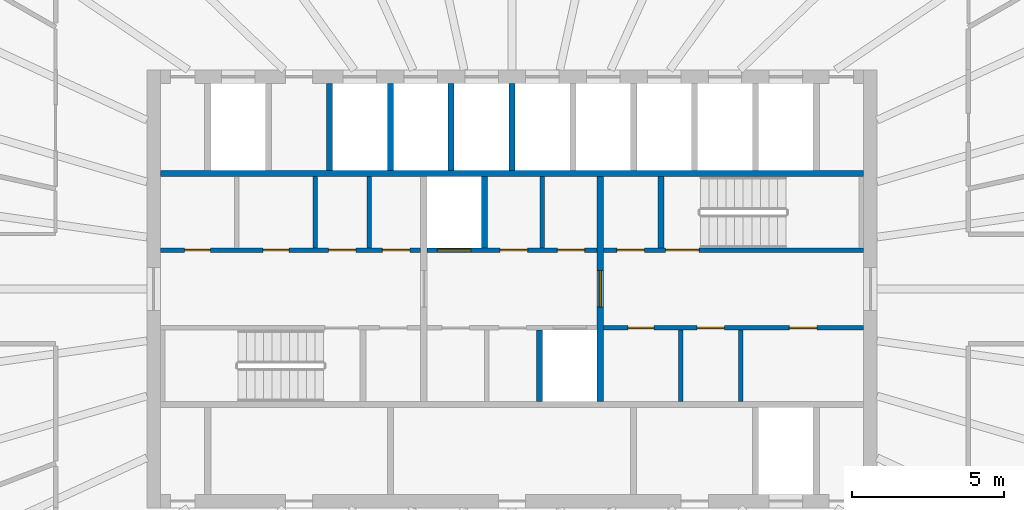
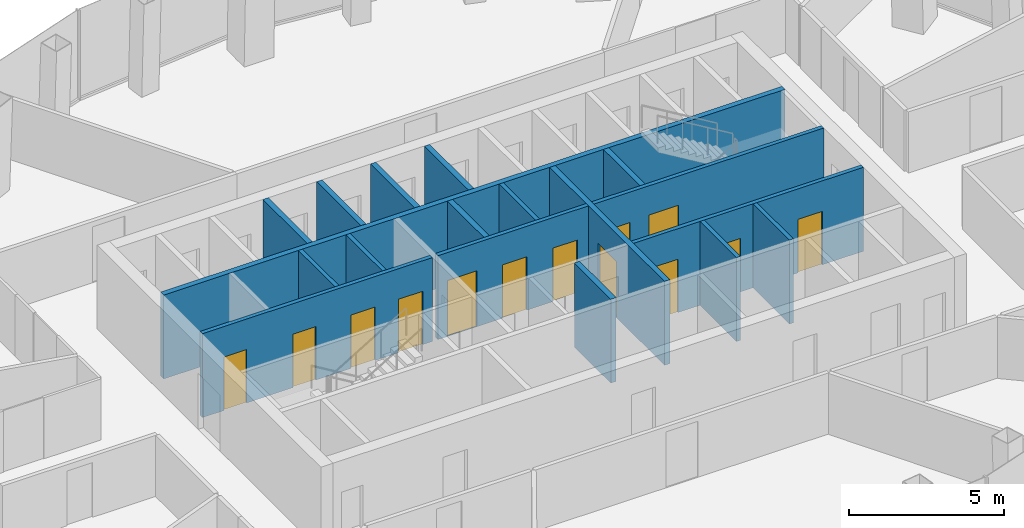
# One storey, part 10 of 13: 18 walls, 13 doors, 13 openings.
"""IFC4 building model written with IfcOpenShell, lengths in metres."""

from ifc_helpers import new_model, si_unit, direction, frame, frame_2d, origin, place, context, subcontext, project, spatial, rectangle, extrude, material, layer, layer_set, type_object, element, fill, save


model = new_model("IFC4")

# Units and contexts
model_context = context("Model", 3, precision=1e-05, world=origin(), true_north=direction((0.0, 1.0)))
body_context = subcontext(model_context, "Body", "Model", "MODEL_VIEW")
ifc_project = project(units=[si_unit("LENGTHUNIT", "METRE"), si_unit("AREAUNIT", "SQUARE_METRE"), si_unit("VOLUMEUNIT", "CUBIC_METRE"), si_unit("PLANEANGLEUNIT", "RADIAN"), si_unit("MASSUNIT", "GRAM", prefix="KILO")], contexts=[model_context])

# Site, building, storey
site_placement = place(None, origin())
site = spatial("IfcSite", under=ifc_project, at=site_placement, CompositionType="ELEMENT")
building_placement = place(site_placement, origin())
building = spatial("IfcBuilding", under=site, at=building_placement, Name="Siaravel Broadcast Tower", CompositionType="ELEMENT")
storey_placement = place(building_placement, frame((0.0, 0.0, 175.60009765625)))
storey = spatial("IfcBuildingStorey", under=building, at=storey_placement, Name="L42", CompositionType="ELEMENT", Elevation=175.60009765625)

# Walls
ifc_material_1 = material(Name="Concrete blockwork", Category="masonry")
ifc_layer_1 = layer(ifc_material_1, 0.14990234375)
ifc_layer_set_1 = layer_set([ifc_layer_1], Name="Concrete blockwork")
wall_type_1 = type_object("IfcWallType", Name="Core partition 150", PredefinedType="PARTITIONING", material=ifc_layer_set_1)
for number, where, z_axis, x_axis, name in (
    (1, (-6.465087890625, 1.35009765625, 0.0), (0.0, 0.0, 1.0), (0.0, 1.0, 0.0), "L42 core partition PNW1"),
    (2, (-4.695068359375, 1.35009765625, 0.0), (0.0, 0.0, 1.0), (0.0, 1.0, 0.0), "L42 core partition PNW2"),
    (3, (5.550048828125, -3.699951171875, 0.0), (0.0, 0.0, 1.0), (0.0, 1.0, 0.0), "L42 core partition PSE0"),
    (4, (7.514892578125, -3.699951171875, 0.0), (0.0, 0.0, 1.0), (0.0, 1.0, 0.0), "L42 core partition PSE1"),
    (5, (1.0, 1.35009765625, 0.0), (0.0, 0.0, 1.0), (0.0, 1.0, 0.0), "L42 core partition PNM0"),
):
    element("IfcWall", number, at=place(storey_placement, frame(where, z_axis=z_axis, x_axis=x_axis)), inside=storey, type_object=wall_type_1, Name=name, PredefinedType="PARTITIONING", context=body_context, shape_type="SweptSolid", body=[
        extrude(rectangle(XDim=2.349853515625, YDim=0.14990234375, at=frame_2d((1.1748046875, 0.0))), origin(), (0.0, 0.0, 1.0), 3.2998046875),
    ])

# Wall, openings, doors
ifc_material_2 = material(Name="Gypsum board partition", Category="gypsum")
ifc_layer_2 = layer(ifc_material_2, 0.14990234375)
ifc_layer_set_2 = layer_set([ifc_layer_2], Name="Gypsum board partition")
wall_type_2 = type_object("IfcWallType", Name="Corridor wall 150", PredefinedType="PARTITIONING", material=ifc_layer_set_2)
wall_1_placement = place(storey_placement, frame((3.0, -1.27490234375, 0.0), z_axis=(0.0, 0.0, 1.0), x_axis=(1.0, 0.0, 0.0)))
wall_1 = element("IfcWall", 6, at=wall_1_placement, inside=storey, type_object=wall_type_2, Name="L42 core partition CSE", PredefinedType="PARTITIONING", context=body_context, shape_type="SweptSolid", body=[
    extrude(rectangle(XDim=8.550048828125, YDim=0.14990234375, at=frame_2d((4.27490234375, 0.0))), origin(), (0.0, 0.0, 1.0), 3.2998046875),
])
opening_1_placement = place(wall_1_placement, frame((0.8125, 0.0, 0.0)))
opening_1 = element("IfcOpeningElement", 7, at=opening_1_placement, cuts=wall_1, Name="Opening L42-DSE0", PredefinedType="OPENING", context=body_context, shape_type="SweptSolid", body=[
    extrude(rectangle(XDim=0.85009765625, YDim=2.10009765625, at=frame_2d((0.425048828125, 1.050048828125))), frame((0.0, 0.0849609375, 0.0), z_axis=(0.0, -1.0, 0.0), x_axis=(1.0, 0.0, 0.0)), (0.0, 0.0, 1.0), 0.169921875),
])
opening_2_placement = place(wall_1_placement, frame((3.08251953125, 0.0, 0.0)))
opening_2 = element("IfcOpeningElement", 8, at=opening_2_placement, cuts=wall_1, Name="Opening L42-DSE1", PredefinedType="OPENING", context=body_context, shape_type="SweptSolid", body=[
    extrude(rectangle(XDim=0.89990234375, YDim=2.10009765625, at=frame_2d((0.449951171875, 1.050048828125))), frame((0.0, 0.0849609375, 0.0), z_axis=(0.0, -1.0, 0.0), x_axis=(1.0, 0.0, 0.0)), (0.0, 0.0, 1.0), 0.169921875),
])
opening_3_placement = place(wall_1_placement, frame((6.1201171875, 0.0, 0.0)))
opening_3 = element("IfcOpeningElement", 9, at=opening_3_placement, cuts=wall_1, Name="Opening L42-DSE2", PredefinedType="OPENING", context=body_context, shape_type="SweptSolid", body=[
    extrude(rectangle(XDim=0.89990234375, YDim=2.10009765625, at=frame_2d((0.449951171875, 1.050048828125))), frame((0.0, 0.0849609375, 0.0), z_axis=(0.0, -1.0, 0.0), x_axis=(1.0, 0.0, 0.0)), (0.0, 0.0, 1.0), 0.169921875),
])
ifc_material_3 = material(Name="Timber veneer", Category="wood")
door_type_1 = type_object("IfcDoorType", Name="Core room door 900", OperationType="SINGLE_SWING_LEFT", PredefinedType="DOOR", material=ifc_material_3)
door_1_placement = place(opening_2_placement, origin())
door_1 = element("IfcDoor", 10, at=door_1_placement, inside=storey, type_object=door_type_1, Name="L42 door DSE1", OperationType="SINGLE_SWING_LEFT", OverallHeight=2.10009765625, OverallWidth=0.89990234375, PredefinedType="DOOR", context=body_context, shape_type="SweptSolid", body=[
    extrude(rectangle(XDim=0.89990234375, YDim=2.10009765625, at=frame_2d((0.449951171875, 1.050048828125))), frame((0.0, 0.02490234375, 0.0), z_axis=(0.0, -1.0, 0.0), x_axis=(1.0, 0.0, 0.0)), (0.0, 0.0, 1.0), 0.050048828125),
])
fill(opening_2, door_1)
door_2_placement = place(opening_3_placement, origin())
door_2 = element("IfcDoor", 11, at=door_2_placement, inside=storey, type_object=door_type_1, Name="L42 door DSE2", OperationType="SINGLE_SWING_LEFT", OverallHeight=2.10009765625, OverallWidth=0.89990234375, PredefinedType="DOOR", context=body_context, shape_type="SweptSolid", body=[
    extrude(rectangle(XDim=0.89990234375, YDim=2.10009765625, at=frame_2d((0.449951171875, 1.050048828125))), frame((0.0, 0.02490234375, 0.0), z_axis=(0.0, -1.0, 0.0), x_axis=(1.0, 0.0, 0.0)), (0.0, 0.0, 1.0), 0.050048828125),
])
fill(opening_3, door_2)
door_type_2 = type_object("IfcDoorType", Name="Core toilet door 850", OperationType="SINGLE_SWING_LEFT", PredefinedType="DOOR", material=ifc_material_3)
door_3_placement = place(opening_1_placement, origin())
door_3 = element("IfcDoor", 12, at=door_3_placement, inside=storey, type_object=door_type_2, Name="L42 door DSE0", OperationType="SINGLE_SWING_LEFT", OverallHeight=2.10009765625, OverallWidth=0.85009765625, PredefinedType="DOOR", context=body_context, shape_type="SweptSolid", body=[
    extrude(rectangle(XDim=0.85009765625, YDim=2.10009765625, at=frame_2d((0.425048828125, 1.050048828125))), frame((0.0, 0.02490234375, 0.0), z_axis=(0.0, -1.0, 0.0), x_axis=(1.0, 0.0, 0.0)), (0.0, 0.0, 1.0), 0.050048828125),
])
fill(opening_1, door_3)

wall_2_placement = place(storey_placement, frame((-11.550048828125, 1.27490234375, 0.0), z_axis=(0.0, 0.0, 1.0), x_axis=(1.0, 0.0, 0.0)))
wall_2 = element("IfcWall", 13, at=wall_2_placement, inside=storey, type_object=wall_type_2, Name="L42 core partition CNW", PredefinedType="PARTITIONING", context=body_context, shape_type="SweptSolid", body=[
    extrude(rectangle(XDim=8.550048828125, YDim=0.14990234375, at=frame_2d((4.27490234375, 0.0))), origin(), (0.0, 0.0, 1.0), 3.2998046875),
])
opening_4_placement = place(wall_2_placement, frame((0.7900390625, 0.0, 0.0)))
opening_4 = element("IfcOpeningElement", 14, at=opening_4_placement, cuts=wall_2, Name="Opening L42-DNW0", PredefinedType="OPENING", context=body_context, shape_type="SweptSolid", body=[
    extrude(rectangle(XDim=0.85009765625, YDim=2.10009765625, at=frame_2d((0.425048828125, 1.050048828125))), frame((0.0, 0.0849609375, 0.0), z_axis=(0.0, -1.0, 0.0), x_axis=(1.0, 0.0, 0.0)), (0.0, 0.0, 1.0), 0.169921875),
])
opening_5_placement = place(wall_2_placement, frame((3.3701171875, 0.0, 0.0)))
opening_5 = element("IfcOpeningElement", 15, at=opening_5_placement, cuts=wall_2, Name="Opening L42-DNW1", PredefinedType="OPENING", context=body_context, shape_type="SweptSolid", body=[
    extrude(rectangle(XDim=0.85009765625, YDim=2.10009765625, at=frame_2d((0.425048828125, 1.050048828125))), frame((0.0, 0.0849609375, 0.0), z_axis=(0.0, -1.0, 0.0), x_axis=(1.0, 0.0, 0.0)), (0.0, 0.0, 1.0), 0.169921875),
])
opening_6_placement = place(wall_2_placement, frame((5.52001953125, 0.0, 0.0)))
opening_6 = element("IfcOpeningElement", 16, at=opening_6_placement, cuts=wall_2, Name="Opening L42-DNW2", PredefinedType="OPENING", context=body_context, shape_type="SweptSolid", body=[
    extrude(rectangle(XDim=0.89990234375, YDim=2.10009765625, at=frame_2d((0.449951171875, 1.050048828125))), frame((0.0, 0.0849609375, 0.0), z_axis=(0.0, -1.0, 0.0), x_axis=(1.0, 0.0, 0.0)), (0.0, 0.0, 1.0), 0.169921875),
])
opening_7_placement = place(wall_2_placement, frame((7.2900390625, 0.0, 0.0)))
opening_7 = element("IfcOpeningElement", 17, at=opening_7_placement, cuts=wall_2, Name="Opening L42-DNW3", PredefinedType="OPENING", context=body_context, shape_type="SweptSolid", body=[
    extrude(rectangle(XDim=0.89990234375, YDim=2.10009765625, at=frame_2d((0.449951171875, 1.050048828125))), frame((0.0, 0.0849609375, 0.0), z_axis=(0.0, -1.0, 0.0), x_axis=(1.0, 0.0, 0.0)), (0.0, 0.0, 1.0), 0.169921875),
])
door_4_placement = place(opening_6_placement, origin())
door_4 = element("IfcDoor", 18, at=door_4_placement, inside=storey, type_object=door_type_1, Name="L42 door DNW2", OperationType="SINGLE_SWING_LEFT", OverallHeight=2.10009765625, OverallWidth=0.89990234375, PredefinedType="DOOR", context=body_context, shape_type="SweptSolid", body=[
    extrude(rectangle(XDim=0.89990234375, YDim=2.10009765625, at=frame_2d((0.449951171875, 1.050048828125))), frame((0.0, 0.02490234375, 0.0), z_axis=(0.0, -1.0, 0.0), x_axis=(1.0, 0.0, 0.0)), (0.0, 0.0, 1.0), 0.050048828125),
])
fill(opening_6, door_4)
door_5_placement = place(opening_7_placement, origin())
door_5 = element("IfcDoor", 19, at=door_5_placement, inside=storey, type_object=door_type_1, Name="L42 door DNW3", OperationType="SINGLE_SWING_LEFT", OverallHeight=2.10009765625, OverallWidth=0.89990234375, PredefinedType="DOOR", context=body_context, shape_type="SweptSolid", body=[
    extrude(rectangle(XDim=0.89990234375, YDim=2.10009765625, at=frame_2d((0.449951171875, 1.050048828125))), frame((0.0, 0.02490234375, 0.0), z_axis=(0.0, -1.0, 0.0), x_axis=(1.0, 0.0, 0.0)), (0.0, 0.0, 1.0), 0.050048828125),
])
fill(opening_7, door_5)
door_6_placement = place(opening_4_placement, origin())
door_6 = element("IfcDoor", 20, at=door_6_placement, inside=storey, type_object=door_type_2, Name="L42 door DNW0", OperationType="SINGLE_SWING_LEFT", OverallHeight=2.10009765625, OverallWidth=0.85009765625, PredefinedType="DOOR", context=body_context, shape_type="SweptSolid", body=[
    extrude(rectangle(XDim=0.85009765625, YDim=2.10009765625, at=frame_2d((0.425048828125, 1.050048828125))), frame((0.0, 0.02490234375, 0.0), z_axis=(0.0, -1.0, 0.0), x_axis=(1.0, 0.0, 0.0)), (0.0, 0.0, 1.0), 0.050048828125),
])
fill(opening_4, door_6)
door_7_placement = place(opening_5_placement, origin())
door_7 = element("IfcDoor", 21, at=door_7_placement, inside=storey, type_object=door_type_2, Name="L42 door DNW1", OperationType="SINGLE_SWING_LEFT", OverallHeight=2.10009765625, OverallWidth=0.85009765625, PredefinedType="DOOR", context=body_context, shape_type="SweptSolid", body=[
    extrude(rectangle(XDim=0.85009765625, YDim=2.10009765625, at=frame_2d((0.425048828125, 1.050048828125))), frame((0.0, 0.02490234375, 0.0), z_axis=(0.0, -1.0, 0.0), x_axis=(1.0, 0.0, 0.0)), (0.0, 0.0, 1.0), 0.050048828125),
])
fill(opening_5, door_7)

ifc_material_4 = material(Name="Concrete C60/75", Category="concrete")
ifc_layer_3 = layer(ifc_material_4, 0.14990234375)
ifc_layer_set_3 = layer_set([ifc_layer_3], Name="Concrete C60/75")
wall_type_3 = type_object("IfcWallType", Name="Shaft wall 150", PredefinedType="SHEAR", material=ifc_layer_set_3)
wall_3_placement = place(storey_placement, frame((-2.800048828125, 1.27490234375, 0.0), z_axis=(0.0, 0.0, 1.0), x_axis=(1.0, 0.0, 0.0)))
wall_3 = element("IfcWall", 22, at=wall_3_placement, inside=storey, type_object=wall_type_3, Name="L42 core wall CNM", PredefinedType="SHEAR", context=body_context, shape_type="SweptSolid", body=[
    extrude(rectangle(XDim=5.60009765625, YDim=0.14990234375, at=frame_2d((2.800048828125, 0.0))), origin(), (0.0, 0.0, 1.0), 3.2998046875),
])
opening_8_placement = place(wall_3_placement, frame((0.35009765625, 0.0, 0.0)))
opening_8 = element("IfcOpeningElement", 23, at=opening_8_placement, cuts=wall_3, Name="Opening LD-FL1-L42", PredefinedType="OPENING", context=body_context, shape_type="SweptSolid", body=[
    extrude(rectangle(XDim=1.10009765625, YDim=2.199951171875, at=frame_2d((0.550048828125, 1.10009765625))), frame((0.0, 0.0849609375, 0.0), z_axis=(0.0, -1.0, 0.0), x_axis=(1.0, 0.0, 0.0)), (0.0, 0.0, 1.0), 0.169921875),
])
opening_9_placement = place(wall_3_placement, frame((2.41259765625, 0.0, 0.0)))
opening_9 = element("IfcOpeningElement", 24, at=opening_9_placement, cuts=wall_3, Name="Opening L42-DNM0", PredefinedType="OPENING", context=body_context, shape_type="SweptSolid", body=[
    extrude(rectangle(XDim=0.89990234375, YDim=2.10009765625, at=frame_2d((0.449951171875, 1.050048828125))), frame((0.0, 0.0849609375, 0.0), z_axis=(0.0, -1.0, 0.0), x_axis=(1.0, 0.0, 0.0)), (0.0, 0.0, 1.0), 0.169921875),
])
opening_10_placement = place(wall_3_placement, frame((4.28759765625, 0.0, 0.0)))
opening_10 = element("IfcOpeningElement", 25, at=opening_10_placement, cuts=wall_3, Name="Opening L42-DNM1", PredefinedType="OPENING", context=body_context, shape_type="SweptSolid", body=[
    extrude(rectangle(XDim=0.89990234375, YDim=2.10009765625, at=frame_2d((0.449951171875, 1.050048828125))), frame((0.0, 0.0849609375, 0.0), z_axis=(0.0, -1.0, 0.0), x_axis=(1.0, 0.0, 0.0)), (0.0, 0.0, 1.0), 0.169921875),
])
door_8_placement = place(opening_9_placement, origin())
door_8 = element("IfcDoor", 26, at=door_8_placement, inside=storey, type_object=door_type_1, Name="L42 door DNM0", OperationType="SINGLE_SWING_LEFT", OverallHeight=2.10009765625, OverallWidth=0.89990234375, PredefinedType="DOOR", context=body_context, shape_type="SweptSolid", body=[
    extrude(rectangle(XDim=0.89990234375, YDim=2.10009765625, at=frame_2d((0.449951171875, 1.050048828125))), frame((0.0, 0.02490234375, 0.0), z_axis=(0.0, -1.0, 0.0), x_axis=(1.0, 0.0, 0.0)), (0.0, 0.0, 1.0), 0.050048828125),
])
fill(opening_9, door_8)
door_9_placement = place(opening_10_placement, origin())
door_9 = element("IfcDoor", 27, at=door_9_placement, inside=storey, type_object=door_type_1, Name="L42 door DNM1", OperationType="SINGLE_SWING_LEFT", OverallHeight=2.10009765625, OverallWidth=0.89990234375, PredefinedType="DOOR", context=body_context, shape_type="SweptSolid", body=[
    extrude(rectangle(XDim=0.89990234375, YDim=2.10009765625, at=frame_2d((0.449951171875, 1.050048828125))), frame((0.0, 0.02490234375, 0.0), z_axis=(0.0, -1.0, 0.0), x_axis=(1.0, 0.0, 0.0)), (0.0, 0.0, 1.0), 0.050048828125),
])
fill(opening_10, door_9)
ifc_material_5 = material(Name="Stainless steel 316L", Category="steel")
door_type_3 = type_object("IfcDoorType", Name="Firefighting lift landing door 1100", OperationType="DOUBLE_DOOR_SLIDING", PredefinedType="DOOR", material=ifc_material_5)
door_10_placement = place(opening_8_placement, origin())
door_10 = element("IfcDoor", 28, at=door_10_placement, inside=storey, type_object=door_type_3, Name="Landing door FL1 L42", OperationType="DOUBLE_DOOR_SLIDING", OverallHeight=2.199951171875, OverallWidth=1.10009765625, PredefinedType="DOOR", context=body_context, shape_type="SweptSolid", body=[
    extrude(rectangle(XDim=1.10009765625, YDim=2.199951171875, at=frame_2d((0.550048828125, 1.10009765625))), frame((0.0, 0.02490234375, 0.0), z_axis=(0.0, -1.0, 0.0), x_axis=(1.0, 0.0, 0.0)), (0.0, 0.0, 1.0), 0.050048828125),
])
fill(opening_8, door_10)

wall_4_placement = place(storey_placement, frame((3.0, 1.27490234375, 0.0), z_axis=(0.0, 0.0, 1.0), x_axis=(1.0, 0.0, 0.0)))
wall_4 = element("IfcWall", 29, at=wall_4_placement, inside=storey, type_object=wall_type_3, Name="L42 core wall CNE", PredefinedType="SHEAR", context=body_context, shape_type="SweptSolid", body=[
    extrude(rectangle(XDim=8.550048828125, YDim=0.14990234375, at=frame_2d((4.27490234375, 0.0))), origin(), (0.0, 0.0, 1.0), 3.2998046875),
])
opening_11_placement = place(wall_4_placement, frame((2.050048828125, 0.0, 0.0)))
opening_11 = element("IfcOpeningElement", 30, at=opening_11_placement, cuts=wall_4, Name="Opening L42-DS-2", PredefinedType="OPENING", context=body_context, shape_type="SweptSolid", body=[
    extrude(rectangle(XDim=1.10009765625, YDim=2.14990234375, at=frame_2d((0.550048828125, 1.074951171875))), frame((0.0, 0.0849609375, 0.0), z_axis=(0.0, -1.0, 0.0), x_axis=(1.0, 0.0, 0.0)), (0.0, 0.0, 1.0), 0.169921875),
])
opening_12_placement = place(wall_4_placement, frame((0.449951171875, 0.0, 0.0)))
opening_12 = element("IfcOpeningElement", 31, at=opening_12_placement, cuts=wall_4, Name="Opening L42-DNE0", PredefinedType="OPENING", context=body_context, shape_type="SweptSolid", body=[
    extrude(rectangle(XDim=0.89990234375, YDim=2.10009765625, at=frame_2d((0.449951171875, 1.050048828125))), frame((0.0, 0.0849609375, 0.0), z_axis=(0.0, -1.0, 0.0), x_axis=(1.0, 0.0, 0.0)), (0.0, 0.0, 1.0), 0.169921875),
])
door_11_placement = place(opening_12_placement, origin())
door_11 = element("IfcDoor", 32, at=door_11_placement, inside=storey, type_object=door_type_1, Name="L42 door DNE0", OperationType="SINGLE_SWING_LEFT", OverallHeight=2.10009765625, OverallWidth=0.89990234375, PredefinedType="DOOR", context=body_context, shape_type="SweptSolid", body=[
    extrude(rectangle(XDim=0.89990234375, YDim=2.10009765625, at=frame_2d((0.449951171875, 1.050048828125))), frame((0.0, 0.02490234375, 0.0), z_axis=(0.0, -1.0, 0.0), x_axis=(1.0, 0.0, 0.0)), (0.0, 0.0, 1.0), 0.050048828125),
])
fill(opening_12, door_11)
ifc_material_6 = material(Name="Steel", Category="steel")
door_type_4 = type_object("IfcDoorType", Name="Stair door 1100", OperationType="SINGLE_SWING_LEFT", PredefinedType="DOOR", material=ifc_material_6)
door_12_placement = place(opening_11_placement, origin())
door_12 = element("IfcDoor", 33, at=door_12_placement, inside=storey, type_object=door_type_4, Name="L42 door DS-2", OperationType="SINGLE_SWING_LEFT", OverallHeight=2.14990234375, OverallWidth=1.10009765625, PredefinedType="DOOR", context=body_context, shape_type="SweptSolid", body=[
    extrude(rectangle(XDim=1.10009765625, YDim=2.14990234375, at=frame_2d((0.550048828125, 1.074951171875))), frame((0.0, 0.02490234375, 0.0), z_axis=(0.0, -1.0, 0.0), x_axis=(1.0, 0.0, 0.0)), (0.0, 0.0, 1.0), 0.050048828125),
])
fill(opening_11, door_12)

# Walls
ifc_layer_4 = layer(ifc_material_4, 0.199951171875)
ifc_layer_set_4 = layer_set([ifc_layer_4], Name="Concrete C60/75")
wall_type_4 = type_object("IfcWallType", Name="Shaft wall 200", PredefinedType="SHEAR", material=ifc_layer_set_4)
wall_5_placement = place(storey_placement, frame((-11.550048828125, 3.800048828125, 0.0), z_axis=(0.0, 0.0, 1.0), x_axis=(1.0, 0.0, 0.0)))
element("IfcWall", 34, at=wall_5_placement, inside=storey, type_object=wall_type_4, Name="L42 core wall BN", PredefinedType="SHEAR", context=body_context, shape_type="SweptSolid", body=[
    extrude(rectangle(XDim=23.10009765625, YDim=0.199951171875, at=frame_2d((11.550048828125, 0.0))), origin(), (0.0, 0.0, 1.0), 3.2998046875),
])
for number, where, z_axis, x_axis, name in (
    (35, (-6.0, 3.89990234375, 0.0), (0.0, 0.0, 1.0), (0.0, 1.0, 0.0), "L42 core wall SWN2"),
    (36, (-4.0, 3.89990234375, 0.0), (0.0, 0.0, 1.0), (0.0, 1.0, 0.0), "L42 core wall SWN3"),
    (37, (-2.0, 3.89990234375, 0.0), (0.0, 0.0, 1.0), (0.0, 1.0, 0.0), "L42 core wall SWN4"),
    (38, (0.0, 3.89990234375, 0.0), (0.0, 0.0, 1.0), (0.0, 1.0, 0.0), "L42 core wall SWN5"),
):
    element("IfcWall", number, at=place(storey_placement, frame(where, z_axis=z_axis, x_axis=x_axis)), inside=storey, type_object=wall_type_4, Name=name, PredefinedType="SHEAR", context=body_context, shape_type="SweptSolid", body=[
        extrude(rectangle(XDim=2.85009765625, YDim=0.199951171875, at=frame_2d((1.425048828125, 0.0))), origin(), (0.0, 0.0, 1.0), 3.2998046875),
    ])

# Wall, opening, door
wall_6_placement = place(storey_placement, frame((2.89990234375, -3.699951171875, 0.0), z_axis=(0.0, 0.0, 1.0), x_axis=(0.0, 1.0, 0.0)))
wall_6 = element("IfcWall", 39, at=wall_6_placement, inside=storey, type_object=wall_type_4, Name="L42 core wall LE", PredefinedType="SHEAR", context=body_context, shape_type="SweptSolid", body=[
    extrude(rectangle(XDim=7.39990234375, YDim=0.199951171875, at=frame_2d((3.699951171875, 0.0))), origin(), (0.0, 0.0, 1.0), 3.2998046875),
])
opening_13_placement = place(wall_6_placement, frame((3.10009765625, 0.0, 0.0)))
opening_13 = element("IfcOpeningElement", 40, at=opening_13_placement, cuts=wall_6, Name="Opening L42-DL-E", PredefinedType="OPENING", context=body_context, shape_type="SweptSolid", body=[
    extrude(rectangle(XDim=1.199951171875, YDim=2.199951171875, at=frame_2d((0.60009765625, 1.10009765625))), frame((0.0, 0.10986328125, 0.0), z_axis=(0.0, -1.0, 0.0), x_axis=(1.0, 0.0, 0.0)), (0.0, 0.0, 1.0), 0.219970703125),
])
door_type_5 = type_object("IfcDoorType", Name="Firefighting lobby door 1200", OperationType="SINGLE_SWING_LEFT", PredefinedType="DOOR", material=ifc_material_6)
door_13_placement = place(opening_13_placement, origin())
door_13 = element("IfcDoor", 41, at=door_13_placement, inside=storey, type_object=door_type_5, Name="L42 door DL-E", OperationType="SINGLE_SWING_LEFT", OverallHeight=2.199951171875, OverallWidth=1.199951171875, PredefinedType="DOOR", context=body_context, shape_type="SweptSolid", body=[
    extrude(rectangle(XDim=1.199951171875, YDim=2.199951171875, at=frame_2d((0.60009765625, 1.10009765625))), frame((0.0, 0.02490234375, 0.0), z_axis=(0.0, -1.0, 0.0), x_axis=(1.0, 0.0, 0.0)), (0.0, 0.0, 1.0), 0.050048828125),
])
fill(opening_13, door_13)

# Walls
for number, where, z_axis, x_axis, name in (
    (42, (-0.89990234375, 1.35009765625, 0.0), (0.0, 0.0, 1.0), (0.0, 1.0, 0.0), "L42 core wall FF1E"),
    (43, (0.89990234375, -3.699951171875, 0.0), (0.0, 0.0, 1.0), (0.0, 1.0, 0.0), "L42 core wall FF2W"),
    (44, (4.89990234375, 1.35009765625, 0.0), (0.0, 0.0, 1.0), (0.0, 1.0, 0.0), "L42 core wall ST2W"),
):
    element("IfcWall", number, at=place(storey_placement, frame(where, z_axis=z_axis, x_axis=x_axis)), inside=storey, type_object=wall_type_4, Name=name, PredefinedType="SHEAR", context=body_context, shape_type="SweptSolid", body=[
        extrude(rectangle(XDim=2.349853515625, YDim=0.199951171875, at=frame_2d((1.1748046875, 0.0))), origin(), (0.0, 0.0, 1.0), 3.2998046875),
    ])

save(model, "model.ifc")
